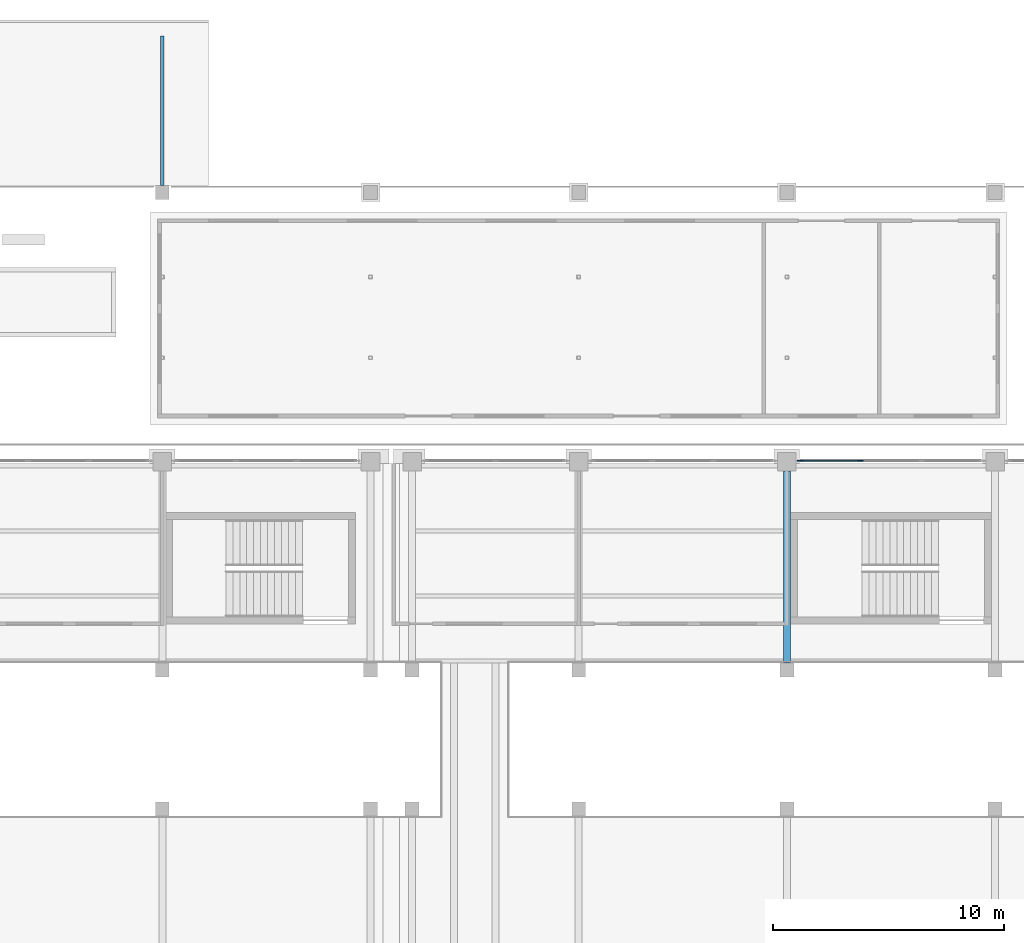
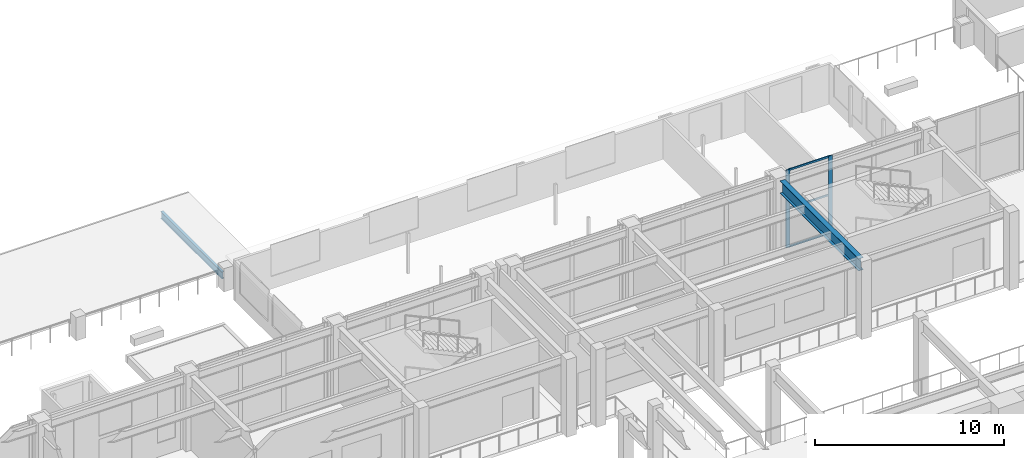
# One storey, part 21 of 67: 5 members, 2 beams, 1 element without a shape of its own.
"""IFC4 building model written with IfcOpenShell, lengths in metres."""

import ifcopenshell
import ifcopenshell.guid

model = None  # the IFC model being written
_history = None  # IfcOwnerHistory: only IFC2X3 demands one
_inside = {}  # id of a spatial element -> (the spatial element, [elements in it])
_under = {}  # id of a project, library or spatial element -> (it, [spatial elements below it])
_declared = {}  # id of a project -> (the project, [libraries it declares])
_typed = {}  # id of a type object -> (the type object, [elements of that type])
_made_of = {}  # id of a material, layer set ... -> (it, [elements and type objects made of it])


def new_model(schema):
    """Start an empty IFC model of exactly this schema.

    Asked for "IFC4X3", IfcOpenShell would pick the latest addendum, in which some entities
    have other attributes; the version numbers below select the first issue.
    IFC2X3 requires an IfcOwnerHistory on every rooted entity: one is made here for all.
    """
    global model, _history
    if schema == "IFC4X3":
        model = ifcopenshell.file(schema_version=(4, 3, 0, 0))
    else:
        model = ifcopenshell.file(schema=schema)
    _inside.clear()
    _under.clear()
    _declared.clear()
    _typed.clear()
    _made_of.clear()
    _history = None
    if model.schema == "IFC2X3":
        org = make("IfcOrganization", Name="unknown")
        user = make(
            "IfcPersonAndOrganization",
            ThePerson=make("IfcPerson", FamilyName="unknown"),
            TheOrganization=org,
        )
        app = make(
            "IfcApplication",
            ApplicationDeveloper=org,
            Version="unknown",
            ApplicationFullName="unknown",
            ApplicationIdentifier="unknown",
        )
        _history = make(
            "IfcOwnerHistory",
            OwningUser=user,
            OwningApplication=app,
            ChangeAction="ADDED",
            CreationDate=0,
        )
    return model


def make(cls, **values):
    """One entity of the class cls with the attributes given. An attribute that is None is left unset."""
    return model.create_entity(
        cls, **{name: value for name, value in values.items() if value is not None}
    )


def rooted(cls, **values):
    """An entity with a GlobalId (a new one), such as an element, a storey or a relation."""
    return make(cls, GlobalId=ifcopenshell.guid.new(), OwnerHistory=_history, **values)


def si_unit(unit_type, name, prefix=None):
    """IfcSIUnit, for example si_unit("LENGTHUNIT", "METRE", prefix="MILLI")."""
    return make("IfcSIUnit", UnitType=unit_type, Prefix=prefix, Name=name)


def assignment(units):
    """IfcUnitAssignment: the units of a project."""
    return None if units is None else make("IfcUnitAssignment", Units=units)


def point(xyz):
    """IfcCartesianPoint."""
    return None if xyz is None else make("IfcCartesianPoint", Coordinates=xyz)


def direction(xyz):
    """IfcDirection."""
    return None if xyz is None else make("IfcDirection", DirectionRatios=xyz)


def frame(location, z_axis=None, x_axis=None):
    """IfcAxis2Placement3D, a coordinate frame: its origin and axes. An axis left out is left unset."""
    return make(
        "IfcAxis2Placement3D",
        Location=point(location),
        Axis=direction(z_axis),
        RefDirection=direction(x_axis),
    )


def frame_2d(location, x_axis=None):
    """IfcAxis2Placement2D, a coordinate frame in the plane: its origin and x axis."""
    return make(
        "IfcAxis2Placement2D", Location=point(location), RefDirection=direction(x_axis)
    )


def origin():
    """The frame at (0, 0, 0) with its axes left unset."""
    return frame((0.0, 0.0, 0.0))


def origin_2d():
    """The frame at (0, 0) in the plane with its x axis left unset."""
    return frame_2d((0.0, 0.0))


def place(relative_to, where):
    """IfcLocalPlacement: puts the frame where relative to a parent placement (None: the world)."""
    return make(
        "IfcLocalPlacement", PlacementRelTo=relative_to, RelativePlacement=where
    )


def context(
    kind, dimensions, precision=None, world=None, true_north=None, identifier=None
):
    """IfcGeometricRepresentationContext, for example the 3D "Model" context."""
    return make(
        "IfcGeometricRepresentationContext",
        ContextIdentifier=identifier,
        ContextType=kind,
        CoordinateSpaceDimension=dimensions,
        Precision=precision,
        WorldCoordinateSystem=world,
        TrueNorth=true_north,
    )


def subcontext(parent, identifier, kind, view, scale=None):
    """IfcGeometricRepresentationSubContext, for example "Body" below "Model"."""
    return make(
        "IfcGeometricRepresentationSubContext",
        ContextIdentifier=identifier,
        ContextType=kind,
        ParentContext=parent,
        TargetScale=scale,
        TargetView=view,
    )


def project(units=None, contexts=None):
    """IfcProject with its units and contexts."""
    return rooted(
        "IfcProject",
        Name="project",
        RepresentationContexts=contexts,
        UnitsInContext=assignment(units),
    )


def spatial(cls, under=None, at=None, **own):
    """A site, building, storey or space (cls), placed at a placement, below another one or the project."""
    s = rooted(cls, ObjectPlacement=at, **own)
    if under is not None:
        _under.setdefault(under.id(), (under, []))[1].append(s)
    return s


def profile(cls, at=None, kind="AREA", **sizes):
    """A parametric profile (cls). Its sizes go by their IFC names, for example OverallWidth=200.0."""
    return make(cls, ProfileType=kind, Position=at, **sizes)


def rectangle(**sizes):
    """IfcRectangleProfileDef."""
    return profile("IfcRectangleProfileDef", **sizes)


def i_section(**sizes):
    """IfcIShapeProfileDef."""
    return profile("IfcIShapeProfileDef", **sizes)


def extrude(swept, where, along, depth):
    """IfcExtrudedAreaSolid: the profile swept, set in the frame where, extruded along a direction by depth."""
    return make(
        "IfcExtrudedAreaSolid",
        SweptArea=swept,
        Position=where,
        ExtrudedDirection=direction(along),
        Depth=depth,
    )


def shape(context_of_items, identifier, shape_type, items):
    """IfcShapeRepresentation: the items that make up one representation, for example the "Body"."""
    return make(
        "IfcShapeRepresentation",
        ContextOfItems=context_of_items,
        RepresentationIdentifier=identifier,
        RepresentationType=shape_type,
        Items=items,
    )


def material(Name=None, Category=None):
    """IfcMaterial."""
    return make("IfcMaterial", Name=Name, Category=Category)


def material_profile(
    of_material, cross_section, Name=None, Category=None, Priority=None
):
    """IfcMaterialProfile: a cross section and its material."""
    return make(
        "IfcMaterialProfile",
        Name=Name,
        Material=of_material,
        Profile=cross_section,
        Priority=Priority,
        Category=Category,
    )


def profile_set(profiles, Name=None, composite=None):
    """IfcMaterialProfileSet."""
    return make(
        "IfcMaterialProfileSet",
        Name=Name,
        MaterialProfiles=profiles,
        CompositeProfile=composite,
    )


def made_of(thing, what):
    """Note that an element or type object is made of a material, layer set ...; save() writes the relation."""
    if what is not None:
        _made_of.setdefault(what.id(), (what, []))[1].append(thing)
    return thing


def type_object(cls, material=None, **own):
    """A type object (cls), such as IfcWallType, which elements share."""
    return made_of(rooted(cls, **own), material)


def element(
    cls,
    number,
    at=None,
    inside=None,
    cuts=None,
    type_object=None,
    material=None,
    context=None,
    identifier="Body",
    shape_type=None,
    held_by="IfcProductDefinitionShape",
    body=None,
    shapes=None,
    **own,
):
    """One element of the class cls, such as IfcWall. Its Tag is "e" and its number.

    at: its placement. inside: the storey or other place that contains it. cuts: it is an
    opening in that element (IfcRelVoidsElement). A single representation is given by context,
    identifier, shape_type and body (its items); several are given by shapes. held_by: the class
    of the entity that holds the representations. save() writes the other relations.
    """
    e = rooted(cls, Tag="e%d" % number, ObjectPlacement=at, **own)
    if body is not None:
        shapes = [shape(context, identifier, shape_type, body)]
    if shapes is not None:
        e.Representation = make(held_by, Representations=shapes)
    if inside is not None:
        _inside.setdefault(inside.id(), (inside, []))[1].append(e)
    if cuts is not None:
        rooted(
            "IfcRelVoidsElement", RelatingBuildingElement=cuts, RelatedOpeningElement=e
        )
    if type_object is not None:
        _typed.setdefault(type_object.id(), (type_object, []))[1].append(e)
    return made_of(e, material)


def aggregate(whole, parts):
    """IfcRelAggregates: a whole, such as a stair, and the parts it consists of."""
    return rooted("IfcRelAggregates", RelatingObject=whole, RelatedObjects=parts)


def save(model, path):
    """Write the relations noted so far, then the file.

    IfcRelAggregates (storeys below a building ...), IfcRelContainedInSpatialStructure (elements
    in a storey), IfcRelDefinesByType, IfcRelAssociatesMaterial and IfcRelDeclares: one each for
    every whole, place, type object, material and project.
    """
    for whole, parts in _under.values():
        aggregate(whole, parts)
    for where, things in _inside.values():
        rooted(
            "IfcRelContainedInSpatialStructure",
            RelatedElements=things,
            RelatingStructure=where,
        )
    for kind, things in _typed.values():
        rooted("IfcRelDefinesByType", RelatedObjects=things, RelatingType=kind)
    for what, things in _made_of.values():
        rooted("IfcRelAssociatesMaterial", RelatedObjects=things, RelatingMaterial=what)
    for by, libraries in _declared.values():
        rooted("IfcRelDeclares", RelatingContext=by, RelatedDefinitions=libraries)
    model.write(path)


model = new_model("IFC4")

# Units and contexts
model_context = context("Model", 3, precision=1e-05, world=origin(), true_north=direction((0.0, 1.0)))
body_context = subcontext(model_context, "Body", "Model", "MODEL_VIEW")
ifc_project = project(units=[si_unit("LENGTHUNIT", "METRE"), si_unit("AREAUNIT", "SQUARE_METRE"), si_unit("VOLUMEUNIT", "CUBIC_METRE"), si_unit("PLANEANGLEUNIT", "RADIAN"), si_unit("MASSUNIT", "GRAM", prefix="KILO")], contexts=[model_context])

# Site, building, storey
site_placement = place(None, origin())
site = spatial("IfcSite", under=ifc_project, at=site_placement, CompositionType="ELEMENT")
building_placement = place(site_placement, origin())
building = spatial("IfcBuilding", under=site, at=building_placement, Name="Aravalli Gate Trade Fair Centre", CompositionType="ELEMENT")
storey_placement = place(building_placement, frame((0.0, 0.0, 5.0)))
storey = spatial("IfcBuildingStorey", under=building, at=storey_placement, Name="L01", CompositionType="ELEMENT", Elevation=5.0)

# Curtain wall, members
ifc_material_1 = material(Name="Aluminium and glass", Category="aluminium")
curtain_wall_type = type_object("IfcCurtainWallType", Name="Curtain wall 3000 module, tall", PredefinedType="NOTDEFINED", material=ifc_material_1)
curtain_wall_placement = place(storey_placement, origin())
curtain_wall = element("IfcCurtainWall", 1, at=curtain_wall_placement, inside=storey, type_object=curtain_wall_type, Name="Curtain wall north bay 15 L01", PredefinedType="NOTDEFINED")
ifc_material_2 = material(Name="Aluminium", Category="aluminium")
ifc_material_profile_1 = material_profile(ifc_material_2, rectangle(XDim=0.06005859375, YDim=0.25, at=origin_2d()), Name="Concourse curtain wall mullion 60 x 250")
ifc_profile_set_1 = profile_set([ifc_material_profile_1], Name="Aluminium")
member_type_1 = type_object("IfcMemberType", Name="Concourse curtain wall mullion 60 x 250", PredefinedType="MULLION", material=ifc_profile_set_1)
member_1_placement = place(storey_placement, frame((123.580078125, 133.044921875, 0.0), z_axis=(0.0, 0.0, 1.0), x_axis=(0.0, 1.0, 0.0)))
member_1 = element("IfcMember", 2, at=member_1_placement, type_object=member_type_1, Name="CW3 mullion 1", PredefinedType="MULLION", context=body_context, shape_type="SweptSolid", body=[
    extrude(rectangle(XDim=0.06005859375, YDim=0.25, at=origin_2d()), origin(), (0.0, 0.0, 1.0), 5.0),
])
member_2_placement = place(storey_placement, frame((126.183349609375, 133.044921875, 0.0), z_axis=(0.0, 0.0, 1.0), x_axis=(0.0, 1.0, 0.0)))
member_2 = element("IfcMember", 3, at=member_2_placement, type_object=member_type_1, Name="CW3 mullion 2", PredefinedType="MULLION", context=body_context, shape_type="SweptSolid", body=[
    extrude(rectangle(XDim=0.06005859375, YDim=0.25, at=origin_2d()), origin(), (0.0, 0.0, 1.0), 5.0),
])
ifc_material_profile_2 = material_profile(ifc_material_2, rectangle(XDim=0.06005859375, YDim=0.1201171875, at=origin_2d()), Name="Concourse curtain wall transom 60 x 120")
ifc_profile_set_2 = profile_set([ifc_material_profile_2], Name="Aluminium")
member_type_2 = type_object("IfcMemberType", Name="Concourse curtain wall transom 60 x 120", PredefinedType="USERDEFINED", material=ifc_profile_set_2)
member_3_placement = place(storey_placement, frame((123.610107421875, 133.044921875, 0.030029296875), z_axis=(1.0, 0.0, 0.0), x_axis=(0.0, 1.0, 0.0)))
member_3 = element("IfcMember", 4, at=member_3_placement, type_object=member_type_2, Name="CW3 transom 1.1", ObjectType="TRANSOM", PredefinedType="USERDEFINED", context=body_context, shape_type="SweptSolid", body=[
    extrude(rectangle(XDim=0.06005859375, YDim=0.1201171875, at=origin_2d()), origin(), (0.0, 0.0, 1.0), 2.543212890625),
])
member_4_placement = place(storey_placement, frame((123.610107421875, 133.044921875, 2.5), z_axis=(1.0, 0.0, 0.0), x_axis=(0.0, 1.0, 0.0)))
member_4 = element("IfcMember", 5, at=member_4_placement, type_object=member_type_2, Name="CW3 transom 1.2", ObjectType="TRANSOM", PredefinedType="USERDEFINED", context=body_context, shape_type="SweptSolid", body=[
    extrude(rectangle(XDim=0.06005859375, YDim=0.1201171875, at=origin_2d()), origin(), (0.0, 0.0, 1.0), 2.543212890625),
])
member_5_placement = place(storey_placement, frame((123.610107421875, 133.044921875, 4.969970703125), z_axis=(1.0, 0.0, 0.0), x_axis=(0.0, 1.0, 0.0)))
member_5 = element("IfcMember", 6, at=member_5_placement, type_object=member_type_2, Name="CW3 transom 1.3", ObjectType="TRANSOM", PredefinedType="USERDEFINED", context=body_context, shape_type="SweptSolid", body=[
    extrude(rectangle(XDim=0.06005859375, YDim=0.1201171875, at=origin_2d()), origin(), (0.0, 0.0, 1.0), 2.543212890625),
])
aggregate(curtain_wall, [member_1, member_2, member_3, member_4, member_5])

# Beams
ifc_material_3 = material(Name="Steel E350", Category="steel")
ifc_material_profile_3 = material_profile(ifc_material_3, i_section(OverallWidth=0.14990234375, OverallDepth=0.449951171875, WebThickness=0.009521484375, FlangeThickness=0.017333984375, at=origin_2d()), Name="ISMB 450")
ifc_profile_set_3 = profile_set([ifc_material_profile_3], Name="Steel E350")
beam_type_1 = type_object("IfcBeamType", Name="ISMB 450 entrance canopy beam", PredefinedType="BEAM", material=ifc_profile_set_3)
beam_1_placement = place(storey_placement, frame((96.0, 144.949951171875, 0.625), z_axis=(0.0, 1.0, 0.0), x_axis=(-1.0, 0.0, 0.0)))
element("IfcBeam", 7, at=beam_1_placement, inside=storey, type_object=beam_type_1, Name="Entrance canopy beam 96", PredefinedType="BEAM", context=body_context, shape_type="SweptSolid", body=[
    extrude(i_section(OverallWidth=0.14990234375, OverallDepth=0.449951171875, WebThickness=0.009521484375, FlangeThickness=0.017333984375, at=origin_2d()), origin(), (0.0, 0.0, 1.0), 6.466064453125),
])
ifc_material_profile_4 = material_profile(ifc_material_3, i_section(OverallWidth=0.300048828125, OverallDepth=0.800048828125, WebThickness=0.011962890625, FlangeThickness=0.02490234375, at=origin_2d()), Name="PG 800x300x12x25")
ifc_profile_set_4 = profile_set([ifc_material_profile_4], Name="Steel E350")
beam_type_2 = type_object("IfcBeamType", Name="PG 800x300x12x25 gallery plate girder", PredefinedType="BEAM", material=ifc_profile_set_4)
beam_2_placement = place(storey_placement, frame((123.0, 124.300048828125, 4.39990234375), z_axis=(0.0, 1.0, 0.0), x_axis=(-1.0, 0.0, 0.0)))
element("IfcBeam", 8, at=beam_2_placement, inside=storey, type_object=beam_type_2, Name="Gallery girder N14 L02", PredefinedType="BEAM", context=body_context, shape_type="SweptSolid", body=[
    extrude(i_section(OverallWidth=0.300048828125, OverallDepth=0.800048828125, WebThickness=0.011962890625, FlangeThickness=0.02490234375, at=origin_2d()), origin(), (0.0, 0.0, 1.0), 8.300048828125),
])

save(model, "model.ifc")
